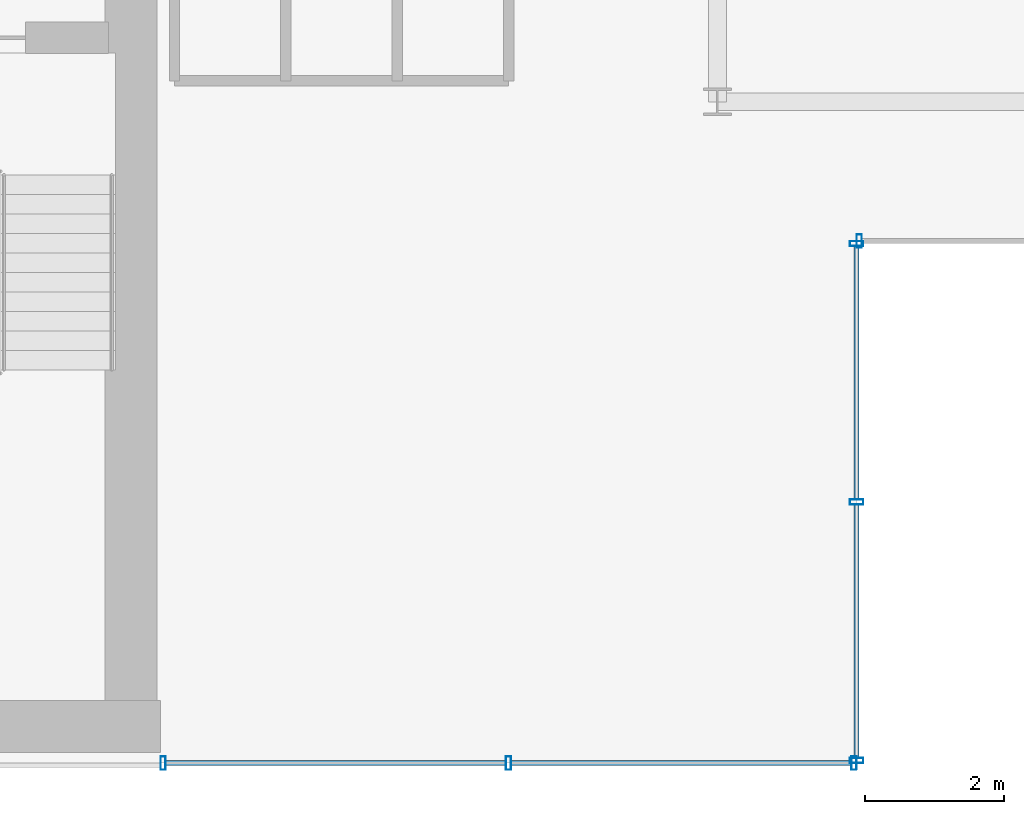
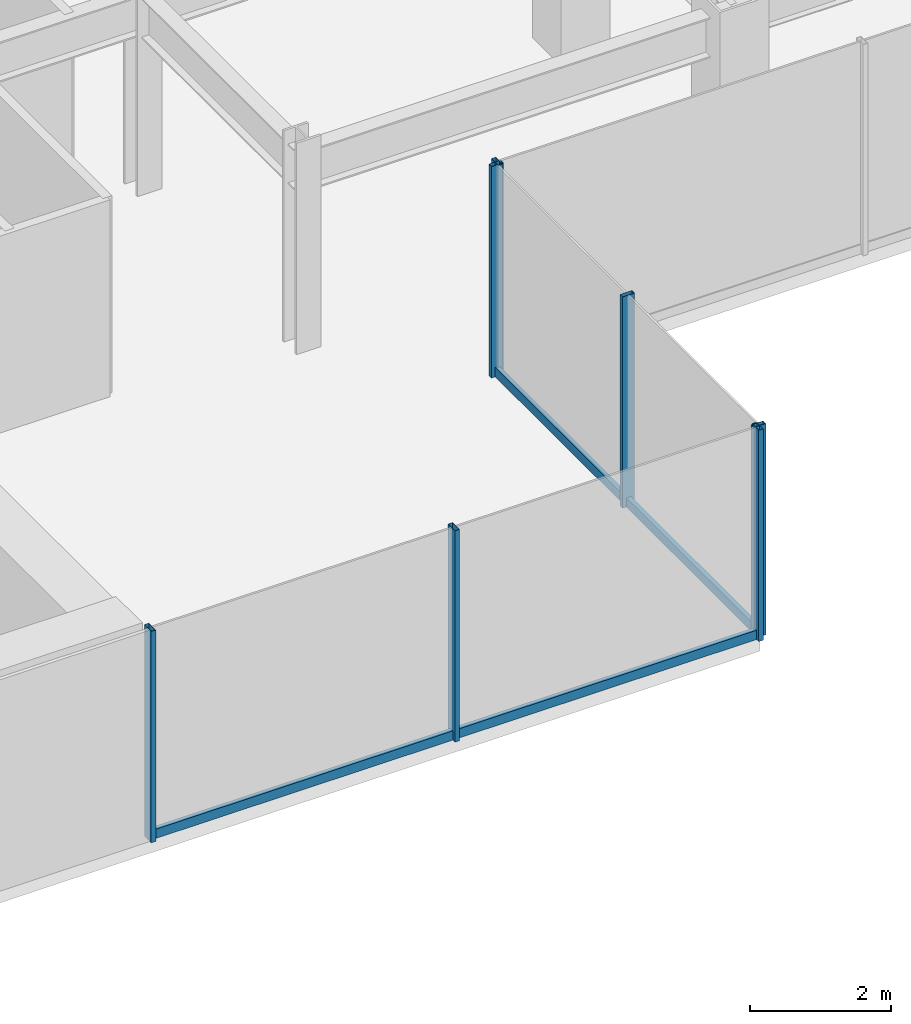
# One storey, part 8 of 25: 11 members, 3 elements without a shape of their own.
"""IFC4 building model written with IfcOpenShell, lengths in metres."""

from ifc_helpers import new_model, si_unit, derived_unit, direction, frame, origin, origin_2d, place, context, subcontext, project, spatial, hollow_rectangle, extrude, source, transform, mapped, material, material_profile, profile_set, type_object, element, aggregate, save


model = new_model("IFC4")

# Units and contexts
model_context = context("Model", 3, precision=1e-05, world=origin(), true_north=direction((0.0, 1.0)))
body_context = subcontext(model_context, "Body", "Model", "MODEL_VIEW")
ifc_project = project(units=[si_unit("LENGTHUNIT", "METRE"), si_unit("AREAUNIT", "SQUARE_METRE"), si_unit("VOLUMEUNIT", "CUBIC_METRE"), si_unit("PLANEANGLEUNIT", "RADIAN"), si_unit("MASSUNIT", "GRAM", prefix="KILO"), derived_unit("THERMALTRANSMITTANCEUNIT", [(si_unit("POWERUNIT", "WATT"), 1), (si_unit("LENGTHUNIT", "METRE"), -2), (si_unit("THERMODYNAMICTEMPERATUREUNIT", "KELVIN"), -1)])], contexts=[model_context])

# Site, building, storey
site_placement = place(None, origin())
site = spatial("IfcSite", under=ifc_project, at=site_placement, CompositionType="ELEMENT")
building_placement = place(site_placement, origin())
building = spatial("IfcBuilding", under=site, at=building_placement, Name="Skarnbrae Concourse Arena and Tower", CompositionType="ELEMENT")
storey_placement = place(building_placement, frame((0.0, 0.0, 88.64990234375)))
storey = spatial("IfcBuildingStorey", under=building, at=storey_placement, Name="L21", CompositionType="ELEMENT", Elevation=88.64990234375)

# Curtain wall, members
ifc_material = material(Name="Bronze anodised aluminium 6063-T6", Category="aluminium")
curtain_wall_type = type_object("IfcCurtainWallType", Name="CW-SYS-04-MIDZONE", PredefinedType="USERDEFINED", material=ifc_material)
curtain_wall_1_placement = place(storey_placement, origin())
curtain_wall_1 = element("IfcCurtainWall", 1, at=curtain_wall_1_placement, inside=storey, type_object=curtain_wall_type, Name="L21 Unitised curtain wall CW-L21-SE-SPINE", ObjectType="UNITISED CURTAIN WALL", PredefinedType="USERDEFINED")
ifc_material_profile_1 = material_profile(ifc_material, hollow_rectangle(XDim=0.074951171875, YDim=0.195068359375, WallThickness=0.00439453125, at=origin_2d()), Name="ALU-MULL-75X195")
ifc_profile_set_1 = profile_set([ifc_material_profile_1], Name="Bronze anodised aluminium 6063-T6")
member_type_1 = type_object("IfcMemberType", Name="CWM-CW-04", PredefinedType="MULLION", material=ifc_profile_set_1)
shared_shape_1 = source(origin(), body_context, "Body", "SweptSolid", [
    extrude(hollow_rectangle(XDim=0.074951171875, YDim=0.195068359375, WallThickness=0.00439453125, at=origin_2d()), origin(), (0.0, 0.0, 1.0), 3.650146484375),
])
member_1_placement = place(storey_placement, frame((34.03759765625, 0.0, 0.0), z_axis=(0.0, 0.0, 1.0), x_axis=(1.0, 0.0, 0.0)))
member_1 = element("IfcMember", 2, at=member_1_placement, type_object=member_type_1, Name="CW-L21-SE-SPINE Mullion 1", PredefinedType="MULLION", context=body_context, shape_type="MappedRepresentation", body=[
    mapped(shared_shape_1, transform((0.0, 0.0, 0.0))),
])
member_2_placement = place(storey_placement, frame((39.0, 0.0, 0.0), z_axis=(0.0, 0.0, 1.0), x_axis=(1.0, 0.0, 0.0)))
member_2 = element("IfcMember", 3, at=member_2_placement, type_object=member_type_1, Name="CW-L21-SE-SPINE Mullion 2", PredefinedType="MULLION", context=body_context, shape_type="MappedRepresentation", body=[
    mapped(shared_shape_1, transform((0.0, 0.0, 0.0))),
])
member_3_placement = place(storey_placement, frame((43.96240234375, 0.0, 0.0), z_axis=(0.0, 0.0, 1.0), x_axis=(1.0, 0.0, 0.0)))
member_3 = element("IfcMember", 4, at=member_3_placement, type_object=member_type_1, Name="CW-L21-SE-SPINE Mullion 3", PredefinedType="MULLION", context=body_context, shape_type="MappedRepresentation", body=[
    mapped(shared_shape_1, transform((0.0, 0.0, 0.0))),
])

curtain_wall_2_placement = place(storey_placement, origin())
curtain_wall_2 = element("IfcCurtainWall", 5, at=curtain_wall_2_placement, inside=storey, type_object=curtain_wall_type, Name="L21 Unitised curtain wall CW-L21-E02", ObjectType="UNITISED CURTAIN WALL", PredefinedType="USERDEFINED")
member_4_placement = place(storey_placement, frame((44.0, 0.03759765625, 0.0), z_axis=(0.0, 0.0, 1.0), x_axis=(0.0, 1.0, 0.0)))
member_4 = element("IfcMember", 6, at=member_4_placement, type_object=member_type_1, Name="CW-L21-E02 Mullion 1", PredefinedType="MULLION", context=body_context, shape_type="MappedRepresentation", body=[
    mapped(shared_shape_1, transform((0.0, 0.0, 0.0))),
])
member_5_placement = place(storey_placement, frame((44.0, 3.75, 0.0), z_axis=(0.0, 0.0, 1.0), x_axis=(0.0, 1.0, 0.0)))
member_5 = element("IfcMember", 7, at=member_5_placement, type_object=member_type_1, Name="CW-L21-E02 Mullion 2", PredefinedType="MULLION", context=body_context, shape_type="MappedRepresentation", body=[
    mapped(shared_shape_1, transform((0.0, 0.0, 0.0))),
])
member_6_placement = place(storey_placement, frame((44.0, 7.46240234375, 0.0), z_axis=(0.0, 0.0, 1.0), x_axis=(0.0, 1.0, 0.0)))
member_6 = element("IfcMember", 8, at=member_6_placement, type_object=member_type_1, Name="CW-L21-E02 Mullion 3", PredefinedType="MULLION", context=body_context, shape_type="MappedRepresentation", body=[
    mapped(shared_shape_1, transform((0.0, 0.0, 0.0))),
])

# Curtain wall, member
curtain_wall_3_placement = place(storey_placement, origin())
curtain_wall_3 = element("IfcCurtainWall", 9, at=curtain_wall_3_placement, inside=storey, type_object=curtain_wall_type, Name="L21 Unitised curtain wall CW-L21-E03", ObjectType="UNITISED CURTAIN WALL", PredefinedType="USERDEFINED")
member_7_placement = place(storey_placement, frame((44.03759765625, 7.5, 0.0), z_axis=(0.0, 0.0, 1.0), x_axis=(1.0, 0.0, 0.0)))
member_7 = element("IfcMember", 10, at=member_7_placement, type_object=member_type_1, Name="CW-L21-E03 Mullion 1", PredefinedType="MULLION", context=body_context, shape_type="MappedRepresentation", body=[
    mapped(shared_shape_1, transform((0.0, 0.0, 0.0))),
])
aggregate(curtain_wall_3, [member_7])

# Member
ifc_material_profile_2 = material_profile(ifc_material, hollow_rectangle(XDim=0.074951171875, YDim=0.159912109375, WallThickness=0.00439453125, at=origin_2d()), Name="ALU-TRAN-75X160")
ifc_profile_set_2 = profile_set([ifc_material_profile_2], Name="Bronze anodised aluminium 6063-T6")
member_type_2 = type_object("IfcMemberType", Name="CWT-CW-04", PredefinedType="USERDEFINED", material=ifc_profile_set_2)
shared_shape_2 = source(origin(), body_context, "Body", "SweptSolid", [
    extrude(hollow_rectangle(XDim=0.074951171875, YDim=0.159912109375, WallThickness=0.00439453125, at=origin_2d()), origin(), (0.0, 0.0, 1.0), 4.887451171875),
])
member_8_placement = place(storey_placement, frame((34.074951171875, 0.0, 0.080078125), z_axis=(1.0, 0.0, 0.0), x_axis=(0.0, 1.0, 0.0)))
member_8 = element("IfcMember", 11, at=member_8_placement, type_object=member_type_2, Name="CW-L21-SE-SPINE Transom 1", ObjectType="TRANSOM", PredefinedType="USERDEFINED", context=body_context, shape_type="MappedRepresentation", body=[
    mapped(shared_shape_2, transform((0.0, 0.0, 0.0))),
])

member_9_placement = place(storey_placement, frame((39.03759765625, 0.0, 0.080078125), z_axis=(1.0, 0.0, 0.0), x_axis=(0.0, 1.0, 0.0)))
member_9 = element("IfcMember", 12, at=member_9_placement, type_object=member_type_2, Name="CW-L21-SE-SPINE Transom 2", ObjectType="TRANSOM", PredefinedType="USERDEFINED", context=body_context, shape_type="MappedRepresentation", body=[
    mapped(shared_shape_2, transform((0.0, 0.0, 0.0))),
])

aggregate(curtain_wall_1, [member_1, member_2, member_3, member_8, member_9])

shared_shape_3 = source(origin(), body_context, "Body", "SweptSolid", [
    extrude(hollow_rectangle(XDim=0.074951171875, YDim=0.159912109375, WallThickness=0.00439453125, at=origin_2d()), origin(), (0.0, 0.0, 1.0), 3.637451171875),
])
member_10_placement = place(storey_placement, frame((44.0, 0.074951171875, 0.080078125), z_axis=(0.0, 1.0, 0.0), x_axis=(-1.0, 0.0, 0.0)))
member_10 = element("IfcMember", 13, at=member_10_placement, type_object=member_type_2, Name="CW-L21-E02 Transom 1", ObjectType="TRANSOM", PredefinedType="USERDEFINED", context=body_context, shape_type="MappedRepresentation", body=[
    mapped(shared_shape_3, transform((0.0, 0.0, 0.0))),
])

member_11_placement = place(storey_placement, frame((44.0, 3.78759765625, 0.080078125), z_axis=(0.0, 1.0, 0.0), x_axis=(-1.0, 0.0, 0.0)))
member_11 = element("IfcMember", 14, at=member_11_placement, type_object=member_type_2, Name="CW-L21-E02 Transom 2", ObjectType="TRANSOM", PredefinedType="USERDEFINED", context=body_context, shape_type="MappedRepresentation", body=[
    mapped(shared_shape_3, transform((0.0, 0.0, 0.0))),
])

aggregate(curtain_wall_2, [member_4, member_5, member_6, member_10, member_11])

save(model, "model.ifc")
